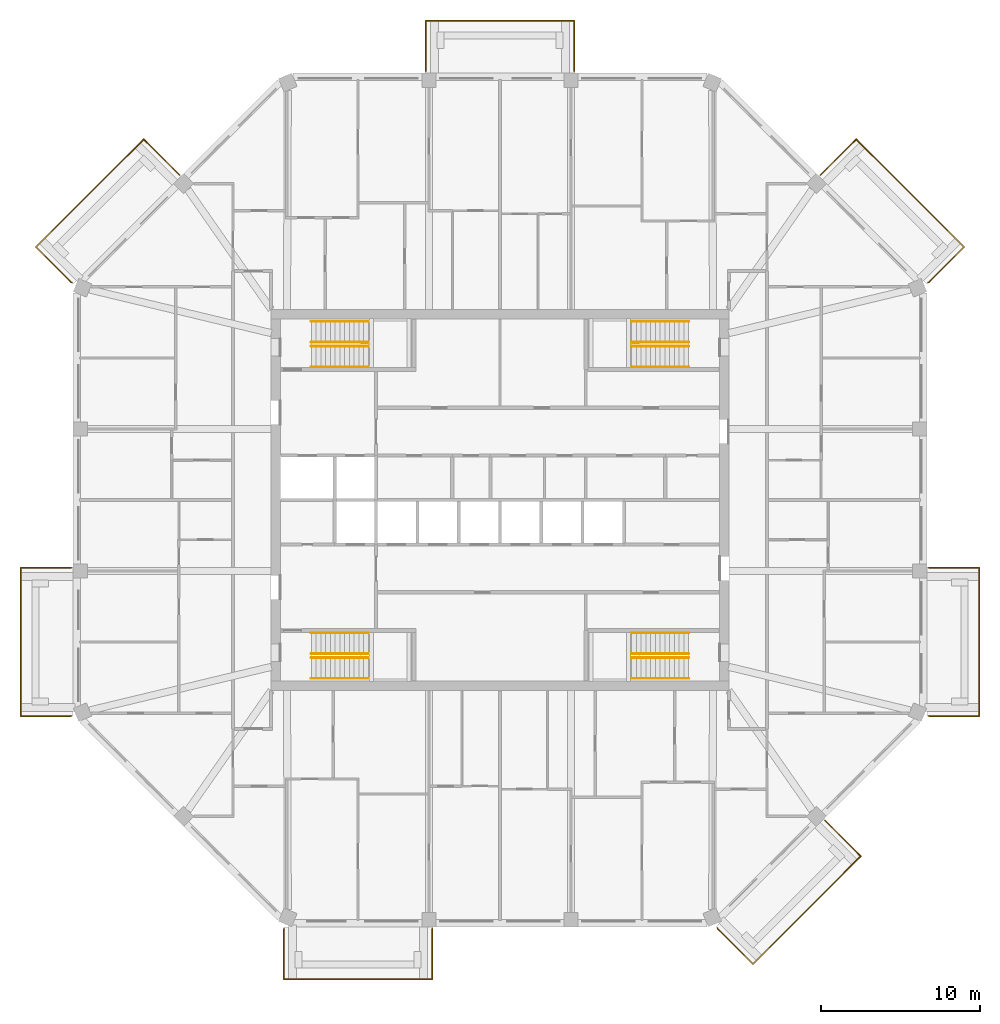
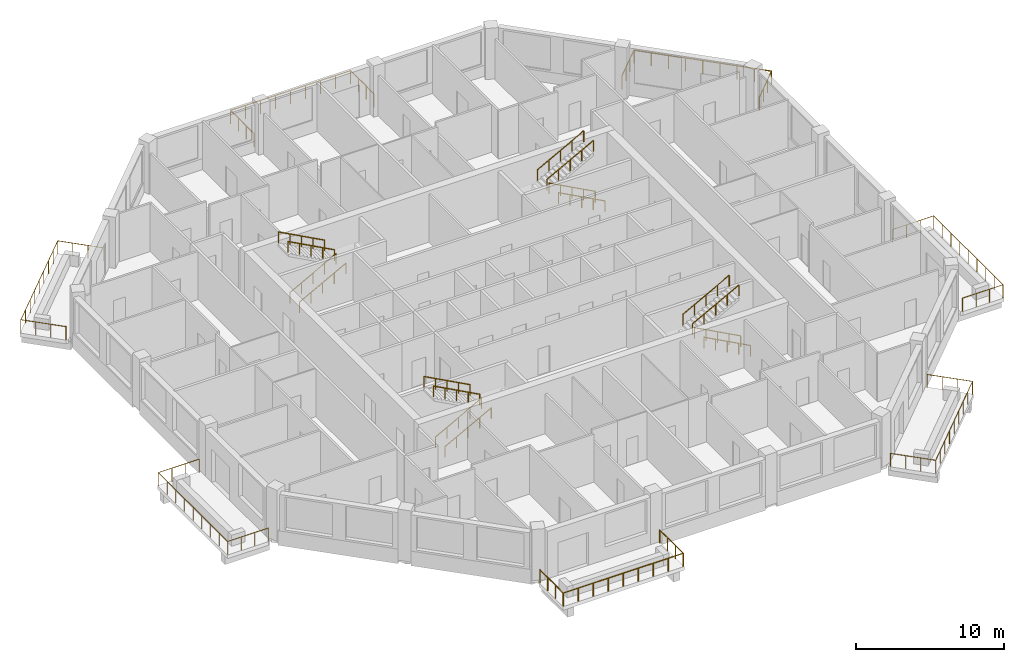
# One storey, part 11 of 11: 23 railings.
"""IFC4 building model written with IfcOpenShell, lengths in metres."""

from ifc_helpers import new_model, si_unit, direction, frame, origin, origin_2d, place, context, subcontext, project, spatial, circle, extrude, material, constituent, constituent_set, type_object, element, save


model = new_model("IFC4")

# Units and contexts
model_context = context("Model", 3, precision=1e-05, world=origin(), true_north=direction((0.0, 1.0)))
body_context = subcontext(model_context, "Body", "Model", "MODEL_VIEW")
ifc_project = project(units=[si_unit("LENGTHUNIT", "METRE"), si_unit("AREAUNIT", "SQUARE_METRE"), si_unit("VOLUMEUNIT", "CUBIC_METRE"), si_unit("PLANEANGLEUNIT", "RADIAN"), si_unit("MASSUNIT", "GRAM", prefix="KILO")], contexts=[model_context])

# Site, building, storey
site_placement = place(None, origin())
site = spatial("IfcSite", under=ifc_project, at=site_placement, CompositionType="ELEMENT")
building_placement = place(site_placement, origin())
building = spatial("IfcBuilding", under=site, at=building_placement, Name="Msitu Wima Residences", CompositionType="ELEMENT")
storey_placement = place(building_placement, frame((0.0, 0.0, 230.699951171875)))
storey = spatial("IfcBuildingStorey", under=building, at=storey_placement, Name="L53", CompositionType="ELEMENT", Elevation=230.699951171875)

# Railings
ifc_material_1 = material(Name="Steel S355", Category="steel")
ifc_constituent_1 = constituent(ifc_material_1, Name="Steel S355")
ifc_material_2 = material(Name="Weathering patina")
ifc_constituent_2 = constituent(ifc_material_2, Name="Weathering patina")
ifc_constituent_set_1 = constituent_set(constituents=[ifc_constituent_1, ifc_constituent_2], Name="Steel S355")
railing_type_1 = type_object("IfcRailingType", Name="Balcony guard GR1100", PredefinedType="GUARDRAIL", material=ifc_constituent_set_1)
railing_1_placement = place(storey_placement, frame((26.97998046875, -4.2685546875, 0.0)))
element("IfcRailing", 1, at=railing_1_placement, inside=storey, type_object=railing_type_1, Name="Balcony guard E0 L53", PredefinedType="GUARDRAIL", context=body_context, shape_type="SweptSolid", body=[
    extrude(circle(Radius=0.02392578125, at=origin_2d()), frame((0.0, 0.0, 1.076171875), z_axis=(1.0, 0.0, 0.0), x_axis=(0.0, 1.0, 0.0)), (0.0, 0.0, 1.0), 3.169921875),
    extrude(circle(Radius=0.02392578125, at=origin_2d()), frame((3.169921875, 0.0, 1.076171875), z_axis=(0.0, -1.0, 0.0), x_axis=(1.0, 0.0, 0.0)), (0.0, 0.0, 1.0), 9.33740234375),
    extrude(circle(Radius=0.02392578125, at=origin_2d()), frame((3.169921875, -9.33740234375, 1.076171875), z_axis=(-1.0, 0.0, 0.0), x_axis=(0.0, -1.0, 0.0)), (0.0, 0.0, 1.0), 3.136474609375),
    extrude(circle(Radius=0.02392578125, at=origin_2d()), frame((0.033447265625, -9.33740234375, 1.076171875), z_axis=(-0.923276184907, 0.384136806859, 0.0), x_axis=(-0.384136806859, -0.923276184907, 0.0)), (0.0, 0.0, 1.0), 0.0361328125),
    extrude(circle(Radius=0.02099609375, at=origin_2d()), origin(), (0.0, 0.0, 1.0), 1.052001953125),
    extrude(circle(Radius=0.02099609375, at=origin_2d()), frame((1.056640625, 0.0, 0.0)), (0.0, 0.0, 1.0), 1.052001953125),
    extrude(circle(Radius=0.02099609375, at=origin_2d()), frame((2.11328125, 0.0, 0.0)), (0.0, 0.0, 1.0), 1.052001953125),
    extrude(circle(Radius=0.02099609375, at=origin_2d()), frame((3.169921875, 0.0, 0.0)), (0.0, 0.0, 1.0), 1.052001953125),
    extrude(circle(Radius=0.02099609375, at=origin_2d()), frame((3.169921875, -1.167236328125, 0.0)), (0.0, 0.0, 1.0), 1.052001953125),
    extrude(circle(Radius=0.02099609375, at=origin_2d()), frame((3.169921875, -2.33447265625, 0.0)), (0.0, 0.0, 1.0), 1.052001953125),
    extrude(circle(Radius=0.02099609375, at=origin_2d()), frame((3.169921875, -3.50146484375, 0.0)), (0.0, 0.0, 1.0), 1.052001953125),
    extrude(circle(Radius=0.02099609375, at=origin_2d()), frame((3.169921875, -4.668701171875, 0.0)), (0.0, 0.0, 1.0), 1.052001953125),
    extrude(circle(Radius=0.02099609375, at=origin_2d()), frame((3.169921875, -5.8359375, 0.0)), (0.0, 0.0, 1.0), 1.052001953125),
    extrude(circle(Radius=0.02099609375, at=origin_2d()), frame((3.169921875, -7.0029296875, 0.0)), (0.0, 0.0, 1.0), 1.052001953125),
    extrude(circle(Radius=0.02099609375, at=origin_2d()), frame((3.169921875, -8.170166015625, 0.0)), (0.0, 0.0, 1.0), 1.052001953125),
    extrude(circle(Radius=0.02099609375, at=origin_2d()), frame((3.169921875, -9.33740234375, 0.0)), (0.0, 0.0, 1.0), 1.052001953125),
    extrude(circle(Radius=0.02099609375, at=origin_2d()), frame((2.12451171875, -9.33740234375, 0.0)), (0.0, 0.0, 1.0), 1.052001953125),
    extrude(circle(Radius=0.02099609375, at=origin_2d()), frame((1.078857421875, -9.33740234375, 0.0)), (0.0, 0.0, 1.0), 1.052001953125),
    extrude(circle(Radius=0.02099609375, at=origin_2d()), frame((0.033447265625, -9.33740234375, 0.0)), (0.0, 0.0, 1.0), 1.052001953125),
    extrude(circle(Radius=0.02099609375, at=origin_2d()), frame((0.0, -9.323486328125, 0.0)), (0.0, 0.0, 1.0), 1.052001953125),
])
railing_2_placement = place(storey_placement, frame((20.171630859375, 20.45458984375, 0.0)))
element("IfcRailing", 2, at=railing_2_placement, inside=storey, type_object=railing_type_1, Name="Balcony guard NE0 L53", PredefinedType="GUARDRAIL", context=body_context, shape_type="SweptSolid", body=[
    extrude(circle(Radius=0.02392578125, at=origin_2d()), frame((0.0, 0.0, 1.076171875), z_axis=(0.707106781187, 0.707106781187, 0.0), x_axis=(-0.707106781187, 0.707106781187, 0.0)), (0.0, 0.0, 1.0), 3.169921875),
    extrude(circle(Radius=0.02392578125, at=origin_2d()), frame((2.241455078125, 2.241455078125, 1.076171875), z_axis=(0.707106781187, -0.707106781187, 0.0), x_axis=(0.707106781187, 0.707106781187, 0.0)), (0.0, 0.0, 1.0), 9.58837890625),
    extrude(circle(Radius=0.02392578125, at=origin_2d()), frame((9.021484375, -4.53857421875, 1.076171875), z_axis=(-0.707106781187, -0.707106781187, 0.0), x_axis=(0.707106781187, -0.707106781187, 0.0)), (0.0, 0.0, 1.0), 3.136474609375),
    extrude(circle(Radius=0.02392578125, at=origin_2d()), frame((6.8037109375, -6.75634765625, 1.076171875), z_axis=(-0.92426142649, -0.38176015442, 0.0), x_axis=(0.38176015442, -0.92426142649, 0.0)), (0.0, 0.0, 1.0), 0.036376953125),
    extrude(circle(Radius=0.02099609375, at=origin_2d()), origin(), (0.0, 0.0, 1.0), 1.052001953125),
    extrude(circle(Radius=0.02099609375, at=origin_2d()), frame((0.7470703125, 0.7470703125, 0.0)), (0.0, 0.0, 1.0), 1.052001953125),
    extrude(circle(Radius=0.02099609375, at=origin_2d()), frame((1.494384765625, 1.494384765625, 0.0)), (0.0, 0.0, 1.0), 1.052001953125),
    extrude(circle(Radius=0.02099609375, at=origin_2d()), frame((2.241455078125, 2.241455078125, 0.0)), (0.0, 0.0, 1.0), 1.052001953125),
    extrude(circle(Radius=0.02099609375, at=origin_2d()), frame((3.0888671875, 1.39404296875, 0.0)), (0.0, 0.0, 1.0), 1.052001953125),
    extrude(circle(Radius=0.02099609375, at=origin_2d()), frame((3.9365234375, 0.54638671875, 0.0)), (0.0, 0.0, 1.0), 1.052001953125),
    extrude(circle(Radius=0.02099609375, at=origin_2d()), frame((4.783935546875, -0.301025390625, 0.0)), (0.0, 0.0, 1.0), 1.052001953125),
    extrude(circle(Radius=0.02099609375, at=origin_2d()), frame((5.63134765625, -1.1484375, 0.0)), (0.0, 0.0, 1.0), 1.052001953125),
    extrude(circle(Radius=0.02099609375, at=origin_2d()), frame((6.47900390625, -1.99609375, 0.0)), (0.0, 0.0, 1.0), 1.052001953125),
    extrude(circle(Radius=0.02099609375, at=origin_2d()), frame((7.326416015625, -2.843505859375, 0.0)), (0.0, 0.0, 1.0), 1.052001953125),
    extrude(circle(Radius=0.02099609375, at=origin_2d()), frame((8.174072265625, -3.691162109375, 0.0)), (0.0, 0.0, 1.0), 1.052001953125),
    extrude(circle(Radius=0.02099609375, at=origin_2d()), frame((9.021484375, -4.53857421875, 0.0)), (0.0, 0.0, 1.0), 1.052001953125),
    extrude(circle(Radius=0.02099609375, at=origin_2d()), frame((8.2822265625, -5.27783203125, 0.0)), (0.0, 0.0, 1.0), 1.052001953125),
    extrude(circle(Radius=0.02099609375, at=origin_2d()), frame((7.54296875, -6.01708984375, 0.0)), (0.0, 0.0, 1.0), 1.052001953125),
    extrude(circle(Radius=0.02099609375, at=origin_2d()), frame((6.8037109375, -6.75634765625, 0.0)), (0.0, 0.0, 1.0), 1.052001953125),
    extrude(circle(Radius=0.02099609375, at=origin_2d()), frame((6.77001953125, -6.770263671875, 0.0)), (0.0, 0.0, 1.0), 1.052001953125),
])
railing_3_placement = place(storey_placement, frame((-4.668701171875, 26.97998046875, 0.0)))
element("IfcRailing", 3, at=railing_3_placement, inside=storey, type_object=railing_type_1, Name="Balcony guard N1 L53", PredefinedType="GUARDRAIL", context=body_context, shape_type="SweptSolid", body=[
    extrude(circle(Radius=0.02392578125, at=origin_2d()), frame((0.0, 0.0, 1.076171875), z_axis=(0.0, 1.0, 0.0), x_axis=(-1.0, 0.0, 0.0)), (0.0, 0.0, 1.0), 3.169921875),
    extrude(circle(Radius=0.02392578125, at=origin_2d()), frame((0.0, 3.169921875, 1.076171875), z_axis=(1.0, 0.0, 0.0), x_axis=(0.0, 1.0, 0.0)), (0.0, 0.0, 1.0), 9.33740234375),
    extrude(circle(Radius=0.02392578125, at=origin_2d()), frame((9.33740234375, 3.169921875, 1.076171875), z_axis=(0.0, -1.0, 0.0), x_axis=(1.0, 0.0, 0.0)), (0.0, 0.0, 1.0), 3.169921875),
    extrude(circle(Radius=0.02099609375, at=origin_2d()), origin(), (0.0, 0.0, 1.0), 1.052001953125),
    extrude(circle(Radius=0.02099609375, at=origin_2d()), frame((0.0, 1.056640625, 0.0)), (0.0, 0.0, 1.0), 1.052001953125),
    extrude(circle(Radius=0.02099609375, at=origin_2d()), frame((0.0, 2.11328125, 0.0)), (0.0, 0.0, 1.0), 1.052001953125),
    extrude(circle(Radius=0.02099609375, at=origin_2d()), frame((0.0, 3.169921875, 0.0)), (0.0, 0.0, 1.0), 1.052001953125),
    extrude(circle(Radius=0.02099609375, at=origin_2d()), frame((1.167236328125, 3.169921875, 0.0)), (0.0, 0.0, 1.0), 1.052001953125),
    extrude(circle(Radius=0.02099609375, at=origin_2d()), frame((2.33447265625, 3.169921875, 0.0)), (0.0, 0.0, 1.0), 1.052001953125),
    extrude(circle(Radius=0.02099609375, at=origin_2d()), frame((3.50146484375, 3.169921875, 0.0)), (0.0, 0.0, 1.0), 1.052001953125),
    extrude(circle(Radius=0.02099609375, at=origin_2d()), frame((4.668701171875, 3.169921875, 0.0)), (0.0, 0.0, 1.0), 1.052001953125),
    extrude(circle(Radius=0.02099609375, at=origin_2d()), frame((5.8359375, 3.169921875, 0.0)), (0.0, 0.0, 1.0), 1.052001953125),
    extrude(circle(Radius=0.02099609375, at=origin_2d()), frame((7.0029296875, 3.169921875, 0.0)), (0.0, 0.0, 1.0), 1.052001953125),
    extrude(circle(Radius=0.02099609375, at=origin_2d()), frame((8.170166015625, 3.169921875, 0.0)), (0.0, 0.0, 1.0), 1.052001953125),
    extrude(circle(Radius=0.02099609375, at=origin_2d()), frame((9.33740234375, 3.169921875, 0.0)), (0.0, 0.0, 1.0), 1.052001953125),
    extrude(circle(Radius=0.02099609375, at=origin_2d()), frame((9.33740234375, 2.11328125, 0.0)), (0.0, 0.0, 1.0), 1.052001953125),
    extrude(circle(Radius=0.02099609375, at=origin_2d()), frame((9.33740234375, 1.056640625, 0.0)), (0.0, 0.0, 1.0), 1.052001953125),
    extrude(circle(Radius=0.02099609375, at=origin_2d()), frame((9.33740234375, 0.0, 0.0)), (0.0, 0.0, 1.0), 1.052001953125),
])
railing_4_placement = place(storey_placement, frame((-26.941650390625, 13.684326171875, 0.0)))
element("IfcRailing", 4, at=railing_4_placement, inside=storey, type_object=railing_type_1, Name="Balcony guard NW1 L53", PredefinedType="GUARDRAIL", context=body_context, shape_type="SweptSolid", body=[
    extrude(circle(Radius=0.02392578125, at=origin_2d()), frame((0.0, 0.0, 1.076171875), z_axis=(-0.92426142649, 0.38176015442, 0.0), x_axis=(-0.38176015442, -0.92426142649, 0.0)), (0.0, 0.0, 1.0), 0.036376953125),
    extrude(circle(Radius=0.02392578125, at=origin_2d()), frame((-0.03369140625, 0.013916015625, 1.076171875), z_axis=(-0.707106781187, 0.707106781187, 0.0), x_axis=(-0.707106781187, -0.707106781187, 0.0)), (0.0, 0.0, 1.0), 3.136474609375),
    extrude(circle(Radius=0.02392578125, at=origin_2d()), frame((-2.25146484375, 2.231689453125, 1.076171875), z_axis=(0.707106781187, 0.707106781187, 0.0), x_axis=(-0.707106781187, 0.707106781187, 0.0)), (0.0, 0.0, 1.0), 9.58837890625),
    extrude(circle(Radius=0.02392578125, at=origin_2d()), frame((4.528564453125, 9.01171875, 1.076171875), z_axis=(0.707106781187, -0.707106781187, 0.0), x_axis=(0.707106781187, 0.707106781187, 0.0)), (0.0, 0.0, 1.0), 3.169921875),
    extrude(circle(Radius=0.02099609375, at=origin_2d()), origin(), (0.0, 0.0, 1.0), 1.052001953125),
    extrude(circle(Radius=0.02099609375, at=origin_2d()), frame((-0.03369140625, 0.013916015625, 0.0)), (0.0, 0.0, 1.0), 1.052001953125),
    extrude(circle(Radius=0.02099609375, at=origin_2d()), frame((-0.77294921875, 0.753173828125, 0.0)), (0.0, 0.0, 1.0), 1.052001953125),
    extrude(circle(Radius=0.02099609375, at=origin_2d()), frame((-1.51220703125, 1.492431640625, 0.0)), (0.0, 0.0, 1.0), 1.052001953125),
    extrude(circle(Radius=0.02099609375, at=origin_2d()), frame((-2.25146484375, 2.231689453125, 0.0)), (0.0, 0.0, 1.0), 1.052001953125),
    extrude(circle(Radius=0.02099609375, at=origin_2d()), frame((-1.404052734375, 3.0791015625, 0.0)), (0.0, 0.0, 1.0), 1.052001953125),
    extrude(circle(Radius=0.02099609375, at=origin_2d()), frame((-0.556396484375, 3.9267578125, 0.0)), (0.0, 0.0, 1.0), 1.052001953125),
    extrude(circle(Radius=0.02099609375, at=origin_2d()), frame((0.291015625, 4.774169921875, 0.0)), (0.0, 0.0, 1.0), 1.052001953125),
    extrude(circle(Radius=0.02099609375, at=origin_2d()), frame((1.138671875, 5.62158203125, 0.0)), (0.0, 0.0, 1.0), 1.052001953125),
    extrude(circle(Radius=0.02099609375, at=origin_2d()), frame((1.986083984375, 6.46923828125, 0.0)), (0.0, 0.0, 1.0), 1.052001953125),
    extrude(circle(Radius=0.02099609375, at=origin_2d()), frame((2.83349609375, 7.316650390625, 0.0)), (0.0, 0.0, 1.0), 1.052001953125),
    extrude(circle(Radius=0.02099609375, at=origin_2d()), frame((3.68115234375, 8.164306640625, 0.0)), (0.0, 0.0, 1.0), 1.052001953125),
    extrude(circle(Radius=0.02099609375, at=origin_2d()), frame((4.528564453125, 9.01171875, 0.0)), (0.0, 0.0, 1.0), 1.052001953125),
    extrude(circle(Radius=0.02099609375, at=origin_2d()), frame((5.275634765625, 8.2646484375, 0.0)), (0.0, 0.0, 1.0), 1.052001953125),
    extrude(circle(Radius=0.02099609375, at=origin_2d()), frame((6.02294921875, 7.517333984375, 0.0)), (0.0, 0.0, 1.0), 1.052001953125),
    extrude(circle(Radius=0.02099609375, at=origin_2d()), frame((6.77001953125, 6.770263671875, 0.0)), (0.0, 0.0, 1.0), 1.052001953125),
])
railing_5_placement = place(storey_placement, frame((-26.97998046875, -13.592041015625, 0.0)))
element("IfcRailing", 5, at=railing_5_placement, inside=storey, type_object=railing_type_1, Name="Balcony guard W2 L53", PredefinedType="GUARDRAIL", context=body_context, shape_type="SweptSolid", body=[
    extrude(circle(Radius=0.02392578125, at=origin_2d()), frame((0.0, 0.0, 1.076171875), z_axis=(-0.923276184907, -0.384136806859, 0.0), x_axis=(0.384136806859, -0.923276184907, 0.0)), (0.0, 0.0, 1.0), 0.0361328125),
    extrude(circle(Radius=0.02392578125, at=origin_2d()), frame((-0.033447265625, -0.013916015625, 1.076171875), z_axis=(-1.0, 0.0, 0.0), x_axis=(0.0, -1.0, 0.0)), (0.0, 0.0, 1.0), 3.136474609375),
    extrude(circle(Radius=0.02392578125, at=origin_2d()), frame((-3.169921875, -0.013916015625, 1.076171875), z_axis=(0.0, 1.0, 0.0), x_axis=(-1.0, 0.0, 0.0)), (0.0, 0.0, 1.0), 9.33740234375),
    extrude(circle(Radius=0.02392578125, at=origin_2d()), frame((-3.169921875, 9.323486328125, 1.076171875), z_axis=(1.0, 0.0, 0.0), x_axis=(0.0, 1.0, 0.0)), (0.0, 0.0, 1.0), 3.169921875),
    extrude(circle(Radius=0.02099609375, at=origin_2d()), origin(), (0.0, 0.0, 1.0), 1.052001953125),
    extrude(circle(Radius=0.02099609375, at=origin_2d()), frame((-0.033447265625, -0.013916015625, 0.0)), (0.0, 0.0, 1.0), 1.052001953125),
    extrude(circle(Radius=0.02099609375, at=origin_2d()), frame((-1.078857421875, -0.013916015625, 0.0)), (0.0, 0.0, 1.0), 1.052001953125),
    extrude(circle(Radius=0.02099609375, at=origin_2d()), frame((-2.12451171875, -0.013916015625, 0.0)), (0.0, 0.0, 1.0), 1.052001953125),
    extrude(circle(Radius=0.02099609375, at=origin_2d()), frame((-3.169921875, -0.013916015625, 0.0)), (0.0, 0.0, 1.0), 1.052001953125),
    extrude(circle(Radius=0.02099609375, at=origin_2d()), frame((-3.169921875, 1.1533203125, 0.0)), (0.0, 0.0, 1.0), 1.052001953125),
    extrude(circle(Radius=0.02099609375, at=origin_2d()), frame((-3.169921875, 2.3203125, 0.0)), (0.0, 0.0, 1.0), 1.052001953125),
    extrude(circle(Radius=0.02099609375, at=origin_2d()), frame((-3.169921875, 3.487548828125, 0.0)), (0.0, 0.0, 1.0), 1.052001953125),
    extrude(circle(Radius=0.02099609375, at=origin_2d()), frame((-3.169921875, 4.65478515625, 0.0)), (0.0, 0.0, 1.0), 1.052001953125),
    extrude(circle(Radius=0.02099609375, at=origin_2d()), frame((-3.169921875, 5.822021484375, 0.0)), (0.0, 0.0, 1.0), 1.052001953125),
    extrude(circle(Radius=0.02099609375, at=origin_2d()), frame((-3.169921875, 6.9892578125, 0.0)), (0.0, 0.0, 1.0), 1.052001953125),
    extrude(circle(Radius=0.02099609375, at=origin_2d()), frame((-3.169921875, 8.15625, 0.0)), (0.0, 0.0, 1.0), 1.052001953125),
    extrude(circle(Radius=0.02099609375, at=origin_2d()), frame((-3.169921875, 9.323486328125, 0.0)), (0.0, 0.0, 1.0), 1.052001953125),
    extrude(circle(Radius=0.02099609375, at=origin_2d()), frame((-2.11328125, 9.323486328125, 0.0)), (0.0, 0.0, 1.0), 1.052001953125),
    extrude(circle(Radius=0.02099609375, at=origin_2d()), frame((-1.056640625, 9.323486328125, 0.0)), (0.0, 0.0, 1.0), 1.052001953125),
    extrude(circle(Radius=0.02099609375, at=origin_2d()), frame((0.0, 9.323486328125, 0.0)), (0.0, 0.0, 1.0), 1.052001953125),
])
railing_6_placement = place(storey_placement, frame((-4.2685546875, -26.97998046875, 0.0)))
element("IfcRailing", 6, at=railing_6_placement, inside=storey, type_object=railing_type_1, Name="Balcony guard S0 L53", PredefinedType="GUARDRAIL", context=body_context, shape_type="SweptSolid", body=[
    extrude(circle(Radius=0.02392578125, at=origin_2d()), frame((0.0, 0.0, 1.076171875), z_axis=(0.0, -1.0, 0.0), x_axis=(1.0, 0.0, 0.0)), (0.0, 0.0, 1.0), 3.169921875),
    extrude(circle(Radius=0.02392578125, at=origin_2d()), frame((0.0, -3.169921875, 1.076171875), z_axis=(-1.0, 0.0, 0.0), x_axis=(0.0, -1.0, 0.0)), (0.0, 0.0, 1.0), 9.33740234375),
    extrude(circle(Radius=0.02392578125, at=origin_2d()), frame((-9.33740234375, -3.169921875, 1.076171875), z_axis=(0.0, 1.0, 0.0), x_axis=(-1.0, 0.0, 0.0)), (0.0, 0.0, 1.0), 3.136474609375),
    extrude(circle(Radius=0.02392578125, at=origin_2d()), frame((-9.33740234375, -0.033447265625, 1.076171875), z_axis=(0.384136806859, 0.923276184907, 0.0), x_axis=(-0.923276184907, 0.384136806859, 0.0)), (0.0, 0.0, 1.0), 0.0361328125),
    extrude(circle(Radius=0.02099609375, at=origin_2d()), origin(), (0.0, 0.0, 1.0), 1.052001953125),
    extrude(circle(Radius=0.02099609375, at=origin_2d()), frame((0.0, -1.056640625, 0.0)), (0.0, 0.0, 1.0), 1.052001953125),
    extrude(circle(Radius=0.02099609375, at=origin_2d()), frame((0.0, -2.11328125, 0.0)), (0.0, 0.0, 1.0), 1.052001953125),
    extrude(circle(Radius=0.02099609375, at=origin_2d()), frame((0.0, -3.169921875, 0.0)), (0.0, 0.0, 1.0), 1.052001953125),
    extrude(circle(Radius=0.02099609375, at=origin_2d()), frame((-1.167236328125, -3.169921875, 0.0)), (0.0, 0.0, 1.0), 1.052001953125),
    extrude(circle(Radius=0.02099609375, at=origin_2d()), frame((-2.33447265625, -3.169921875, 0.0)), (0.0, 0.0, 1.0), 1.052001953125),
    extrude(circle(Radius=0.02099609375, at=origin_2d()), frame((-3.50146484375, -3.169921875, 0.0)), (0.0, 0.0, 1.0), 1.052001953125),
    extrude(circle(Radius=0.02099609375, at=origin_2d()), frame((-4.668701171875, -3.169921875, 0.0)), (0.0, 0.0, 1.0), 1.052001953125),
    extrude(circle(Radius=0.02099609375, at=origin_2d()), frame((-5.8359375, -3.169921875, 0.0)), (0.0, 0.0, 1.0), 1.052001953125),
    extrude(circle(Radius=0.02099609375, at=origin_2d()), frame((-7.0029296875, -3.169921875, 0.0)), (0.0, 0.0, 1.0), 1.052001953125),
    extrude(circle(Radius=0.02099609375, at=origin_2d()), frame((-8.170166015625, -3.169921875, 0.0)), (0.0, 0.0, 1.0), 1.052001953125),
    extrude(circle(Radius=0.02099609375, at=origin_2d()), frame((-9.33740234375, -3.169921875, 0.0)), (0.0, 0.0, 1.0), 1.052001953125),
    extrude(circle(Radius=0.02099609375, at=origin_2d()), frame((-9.33740234375, -2.12451171875, 0.0)), (0.0, 0.0, 1.0), 1.052001953125),
    extrude(circle(Radius=0.02099609375, at=origin_2d()), frame((-9.33740234375, -1.078857421875, 0.0)), (0.0, 0.0, 1.0), 1.052001953125),
    extrude(circle(Radius=0.02099609375, at=origin_2d()), frame((-9.33740234375, -0.033447265625, 0.0)), (0.0, 0.0, 1.0), 1.052001953125),
    extrude(circle(Radius=0.02099609375, at=origin_2d()), frame((-9.323486328125, 0.0, 0.0)), (0.0, 0.0, 1.0), 1.052001953125),
])
railing_7_placement = place(storey_placement, frame((20.45458984375, -20.171630859375, 0.0)))
element("IfcRailing", 7, at=railing_7_placement, inside=storey, type_object=railing_type_1, Name="Balcony guard SE0 L53", PredefinedType="GUARDRAIL", context=body_context, shape_type="SweptSolid", body=[
    extrude(circle(Radius=0.02392578125, at=origin_2d()), frame((0.0, 0.0, 1.076171875), z_axis=(0.707106781187, -0.707106781187, 0.0), x_axis=(0.707106781187, 0.707106781187, 0.0)), (0.0, 0.0, 1.0), 3.169921875),
    extrude(circle(Radius=0.02392578125, at=origin_2d()), frame((2.241455078125, -2.241455078125, 1.076171875), z_axis=(-0.707106781187, -0.707106781187, 0.0), x_axis=(0.707106781187, -0.707106781187, 0.0)), (0.0, 0.0, 1.0), 9.58837890625),
    extrude(circle(Radius=0.02392578125, at=origin_2d()), frame((-4.53857421875, -9.021484375, 1.076171875), z_axis=(-0.707106781187, 0.707106781187, 0.0), x_axis=(-0.707106781187, -0.707106781187, 0.0)), (0.0, 0.0, 1.0), 3.136474609375),
    extrude(circle(Radius=0.02392578125, at=origin_2d()), frame((-6.75634765625, -6.8037109375, 1.076171875), z_axis=(-0.38176015442, 0.92426142649, 0.0), x_axis=(-0.92426142649, -0.38176015442, 0.0)), (0.0, 0.0, 1.0), 0.036376953125),
    extrude(circle(Radius=0.02099609375, at=origin_2d()), origin(), (0.0, 0.0, 1.0), 1.052001953125),
    extrude(circle(Radius=0.02099609375, at=origin_2d()), frame((0.7470703125, -0.7470703125, 0.0)), (0.0, 0.0, 1.0), 1.052001953125),
    extrude(circle(Radius=0.02099609375, at=origin_2d()), frame((1.494384765625, -1.494384765625, 0.0)), (0.0, 0.0, 1.0), 1.052001953125),
    extrude(circle(Radius=0.02099609375, at=origin_2d()), frame((2.241455078125, -2.241455078125, 0.0)), (0.0, 0.0, 1.0), 1.052001953125),
    extrude(circle(Radius=0.02099609375, at=origin_2d()), frame((1.39404296875, -3.0888671875, 0.0)), (0.0, 0.0, 1.0), 1.052001953125),
    extrude(circle(Radius=0.02099609375, at=origin_2d()), frame((0.54638671875, -3.9365234375, 0.0)), (0.0, 0.0, 1.0), 1.052001953125),
    extrude(circle(Radius=0.02099609375, at=origin_2d()), frame((-0.301025390625, -4.783935546875, 0.0)), (0.0, 0.0, 1.0), 1.052001953125),
    extrude(circle(Radius=0.02099609375, at=origin_2d()), frame((-1.1484375, -5.63134765625, 0.0)), (0.0, 0.0, 1.0), 1.052001953125),
    extrude(circle(Radius=0.02099609375, at=origin_2d()), frame((-1.99609375, -6.47900390625, 0.0)), (0.0, 0.0, 1.0), 1.052001953125),
    extrude(circle(Radius=0.02099609375, at=origin_2d()), frame((-2.843505859375, -7.326416015625, 0.0)), (0.0, 0.0, 1.0), 1.052001953125),
    extrude(circle(Radius=0.02099609375, at=origin_2d()), frame((-3.691162109375, -8.174072265625, 0.0)), (0.0, 0.0, 1.0), 1.052001953125),
    extrude(circle(Radius=0.02099609375, at=origin_2d()), frame((-4.53857421875, -9.021484375, 0.0)), (0.0, 0.0, 1.0), 1.052001953125),
    extrude(circle(Radius=0.02099609375, at=origin_2d()), frame((-5.27783203125, -8.2822265625, 0.0)), (0.0, 0.0, 1.0), 1.052001953125),
    extrude(circle(Radius=0.02099609375, at=origin_2d()), frame((-6.01708984375, -7.54296875, 0.0)), (0.0, 0.0, 1.0), 1.052001953125),
    extrude(circle(Radius=0.02099609375, at=origin_2d()), frame((-6.75634765625, -6.8037109375, 0.0)), (0.0, 0.0, 1.0), 1.052001953125),
    extrude(circle(Radius=0.02099609375, at=origin_2d()), frame((-6.770263671875, -6.77001953125, 0.0)), (0.0, 0.0, 1.0), 1.052001953125),
])
ifc_constituent_3 = constituent(ifc_material_1, Name="Steel S355")
ifc_material_3 = material(Name="Black powder coating")
ifc_constituent_4 = constituent(ifc_material_3, Name="Black powder coating")
ifc_constituent_set_2 = constituent_set(constituents=[ifc_constituent_3, ifc_constituent_4], Name="Steel S355")
railing_type_2 = type_object("IfcRailingType", Name="Stair handrail HR1", PredefinedType="HANDRAIL", material=ifc_constituent_set_2)
for number, where, name in (
    (8, (-11.875, 8.375, 0.16162109375), "Stair 1 handrail"),
    (9, (-11.875, 9.675048828125, 0.16162109375), "Stair 1 handrail"),
):
    element("IfcRailing", number, at=place(storey_placement, frame(where)), inside=storey, type_object=railing_type_2, Name=name, PredefinedType="HANDRAIL", context=body_context, shape_type="SweptSolid", body=[
        extrude(circle(Radius=0.02392578125, at=origin_2d()), frame((0.0, 0.0, 0.8759765625), z_axis=(0.880474934443, 0.0, 0.474092701714), x_axis=(0.0, 1.0, 0.0)), (0.0, 0.0, 1.0), 4.0888671875),
        extrude(circle(Radius=0.02099609375, at=origin_2d()), origin(), (0.0, 0.0, 1.0), 0.851806640625),
        extrude(circle(Radius=0.02099609375, at=origin_2d()), frame((0.89990234375, 0.0, 0.484619140625)), (0.0, 0.0, 1.0), 0.851806640625),
        extrude(circle(Radius=0.02099609375, at=origin_2d()), frame((1.800048828125, 0.0, 0.96923828125)), (0.0, 0.0, 1.0), 0.851806640625),
        extrude(circle(Radius=0.02099609375, at=origin_2d()), frame((2.7001953125, 0.0, 1.453857421875)), (0.0, 0.0, 1.0), 0.851806640625),
        extrude(circle(Radius=0.02099609375, at=origin_2d()), frame((3.60009765625, 0.0, 1.9384765625)), (0.0, 0.0, 1.0), 0.851806640625),
    ])
for number, where, name in (
    (10, (-8.27490234375, 9.925048828125, 2.261474609375), "Stair 1 handrail"),
    (11, (-8.27490234375, 11.22509765625, 2.261474609375), "Stair 1 handrail"),
):
    element("IfcRailing", number, at=place(storey_placement, frame(where)), inside=storey, type_object=railing_type_2, Name=name, PredefinedType="HANDRAIL", context=body_context, shape_type="SweptSolid", body=[
        extrude(circle(Radius=0.02392578125, at=origin_2d()), frame((0.0, 0.0, 0.8759765625), z_axis=(-0.880474934443, 0.0, 0.474092701714), x_axis=(0.0, -1.0, 0.0)), (0.0, 0.0, 1.0), 4.0888671875),
        extrude(circle(Radius=0.02099609375, at=origin_2d()), origin(), (0.0, 0.0, 1.0), 0.851806640625),
        extrude(circle(Radius=0.02099609375, at=origin_2d()), frame((-0.89990234375, 0.0, 0.484619140625)), (0.0, 0.0, 1.0), 0.851806640625),
        extrude(circle(Radius=0.02099609375, at=origin_2d()), frame((-1.800048828125, 0.0, 0.96923828125)), (0.0, 0.0, 1.0), 0.851806640625),
        extrude(circle(Radius=0.02099609375, at=origin_2d()), frame((-2.7001953125, 0.0, 1.453857421875)), (0.0, 0.0, 1.0), 0.851806640625),
        extrude(circle(Radius=0.02099609375, at=origin_2d()), frame((-3.60009765625, 0.0, 1.9384765625)), (0.0, 0.0, 1.0), 0.851806640625),
    ])
for number, where, name in (
    (12, (-11.875, -11.22509765625, 0.16162109375), "Stair 2 handrail"),
    (13, (-11.875, -9.925048828125, 0.16162109375), "Stair 2 handrail"),
):
    element("IfcRailing", number, at=place(storey_placement, frame(where)), inside=storey, type_object=railing_type_2, Name=name, PredefinedType="HANDRAIL", context=body_context, shape_type="SweptSolid", body=[
        extrude(circle(Radius=0.02392578125, at=origin_2d()), frame((0.0, 0.0, 0.8759765625), z_axis=(0.880474934443, 0.0, 0.474092701714), x_axis=(0.0, 1.0, 0.0)), (0.0, 0.0, 1.0), 4.0888671875),
        extrude(circle(Radius=0.02099609375, at=origin_2d()), origin(), (0.0, 0.0, 1.0), 0.851806640625),
        extrude(circle(Radius=0.02099609375, at=origin_2d()), frame((0.89990234375, 0.0, 0.484619140625)), (0.0, 0.0, 1.0), 0.851806640625),
        extrude(circle(Radius=0.02099609375, at=origin_2d()), frame((1.800048828125, 0.0, 0.96923828125)), (0.0, 0.0, 1.0), 0.851806640625),
        extrude(circle(Radius=0.02099609375, at=origin_2d()), frame((2.7001953125, 0.0, 1.453857421875)), (0.0, 0.0, 1.0), 0.851806640625),
        extrude(circle(Radius=0.02099609375, at=origin_2d()), frame((3.60009765625, 0.0, 1.9384765625)), (0.0, 0.0, 1.0), 0.851806640625),
    ])
for number, where, name in (
    (14, (-8.27490234375, -9.675048828125, 2.261474609375), "Stair 2 handrail"),
    (15, (-8.27490234375, -8.375, 2.261474609375), "Stair 2 handrail"),
    (16, (11.875, 8.375, 0.16162109375), "Stair 3 handrail"),
    (17, (11.875, 9.675048828125, 0.16162109375), "Stair 3 handrail"),
):
    element("IfcRailing", number, at=place(storey_placement, frame(where)), inside=storey, type_object=railing_type_2, Name=name, PredefinedType="HANDRAIL", context=body_context, shape_type="SweptSolid", body=[
        extrude(circle(Radius=0.02392578125, at=origin_2d()), frame((0.0, 0.0, 0.8759765625), z_axis=(-0.880474934443, 0.0, 0.474092701714), x_axis=(0.0, -1.0, 0.0)), (0.0, 0.0, 1.0), 4.0888671875),
        extrude(circle(Radius=0.02099609375, at=origin_2d()), origin(), (0.0, 0.0, 1.0), 0.851806640625),
        extrude(circle(Radius=0.02099609375, at=origin_2d()), frame((-0.89990234375, 0.0, 0.484619140625)), (0.0, 0.0, 1.0), 0.851806640625),
        extrude(circle(Radius=0.02099609375, at=origin_2d()), frame((-1.800048828125, 0.0, 0.96923828125)), (0.0, 0.0, 1.0), 0.851806640625),
        extrude(circle(Radius=0.02099609375, at=origin_2d()), frame((-2.7001953125, 0.0, 1.453857421875)), (0.0, 0.0, 1.0), 0.851806640625),
        extrude(circle(Radius=0.02099609375, at=origin_2d()), frame((-3.60009765625, 0.0, 1.9384765625)), (0.0, 0.0, 1.0), 0.851806640625),
    ])
for number, where, name in (
    (18, (8.27490234375, 9.925048828125, 2.261474609375), "Stair 3 handrail"),
    (19, (8.27490234375, 11.22509765625, 2.261474609375), "Stair 3 handrail"),
):
    element("IfcRailing", number, at=place(storey_placement, frame(where)), inside=storey, type_object=railing_type_2, Name=name, PredefinedType="HANDRAIL", context=body_context, shape_type="SweptSolid", body=[
        extrude(circle(Radius=0.02392578125, at=origin_2d()), frame((0.0, 0.0, 0.8759765625), z_axis=(0.880474934443, 0.0, 0.474092701714), x_axis=(0.0, 1.0, 0.0)), (0.0, 0.0, 1.0), 4.0888671875),
        extrude(circle(Radius=0.02099609375, at=origin_2d()), origin(), (0.0, 0.0, 1.0), 0.851806640625),
        extrude(circle(Radius=0.02099609375, at=origin_2d()), frame((0.89990234375, 0.0, 0.484619140625)), (0.0, 0.0, 1.0), 0.851806640625),
        extrude(circle(Radius=0.02099609375, at=origin_2d()), frame((1.800048828125, 0.0, 0.96923828125)), (0.0, 0.0, 1.0), 0.851806640625),
        extrude(circle(Radius=0.02099609375, at=origin_2d()), frame((2.7001953125, 0.0, 1.453857421875)), (0.0, 0.0, 1.0), 0.851806640625),
        extrude(circle(Radius=0.02099609375, at=origin_2d()), frame((3.60009765625, 0.0, 1.9384765625)), (0.0, 0.0, 1.0), 0.851806640625),
    ])
for number, where, name in (
    (20, (11.875, -11.22509765625, 0.16162109375), "Stair 4 handrail"),
    (21, (11.875, -9.925048828125, 0.16162109375), "Stair 4 handrail"),
):
    element("IfcRailing", number, at=place(storey_placement, frame(where)), inside=storey, type_object=railing_type_2, Name=name, PredefinedType="HANDRAIL", context=body_context, shape_type="SweptSolid", body=[
        extrude(circle(Radius=0.02392578125, at=origin_2d()), frame((0.0, 0.0, 0.8759765625), z_axis=(-0.880474934443, 0.0, 0.474092701714), x_axis=(0.0, -1.0, 0.0)), (0.0, 0.0, 1.0), 4.0888671875),
        extrude(circle(Radius=0.02099609375, at=origin_2d()), origin(), (0.0, 0.0, 1.0), 0.851806640625),
        extrude(circle(Radius=0.02099609375, at=origin_2d()), frame((-0.89990234375, 0.0, 0.484619140625)), (0.0, 0.0, 1.0), 0.851806640625),
        extrude(circle(Radius=0.02099609375, at=origin_2d()), frame((-1.800048828125, 0.0, 0.96923828125)), (0.0, 0.0, 1.0), 0.851806640625),
        extrude(circle(Radius=0.02099609375, at=origin_2d()), frame((-2.7001953125, 0.0, 1.453857421875)), (0.0, 0.0, 1.0), 0.851806640625),
        extrude(circle(Radius=0.02099609375, at=origin_2d()), frame((-3.60009765625, 0.0, 1.9384765625)), (0.0, 0.0, 1.0), 0.851806640625),
    ])
for number, where, name in (
    (22, (8.27490234375, -9.675048828125, 2.261474609375), "Stair 4 handrail"),
    (23, (8.27490234375, -8.375, 2.261474609375), "Stair 4 handrail"),
):
    element("IfcRailing", number, at=place(storey_placement, frame(where)), inside=storey, type_object=railing_type_2, Name=name, PredefinedType="HANDRAIL", context=body_context, shape_type="SweptSolid", body=[
        extrude(circle(Radius=0.02392578125, at=origin_2d()), frame((0.0, 0.0, 0.8759765625), z_axis=(0.880474934443, 0.0, 0.474092701714), x_axis=(0.0, 1.0, 0.0)), (0.0, 0.0, 1.0), 4.0888671875),
        extrude(circle(Radius=0.02099609375, at=origin_2d()), origin(), (0.0, 0.0, 1.0), 0.851806640625),
        extrude(circle(Radius=0.02099609375, at=origin_2d()), frame((0.89990234375, 0.0, 0.484619140625)), (0.0, 0.0, 1.0), 0.851806640625),
        extrude(circle(Radius=0.02099609375, at=origin_2d()), frame((1.800048828125, 0.0, 0.96923828125)), (0.0, 0.0, 1.0), 0.851806640625),
        extrude(circle(Radius=0.02099609375, at=origin_2d()), frame((2.7001953125, 0.0, 1.453857421875)), (0.0, 0.0, 1.0), 0.851806640625),
        extrude(circle(Radius=0.02099609375, at=origin_2d()), frame((3.60009765625, 0.0, 1.9384765625)), (0.0, 0.0, 1.0), 0.851806640625),
    ])

save(model, "model.ifc")
